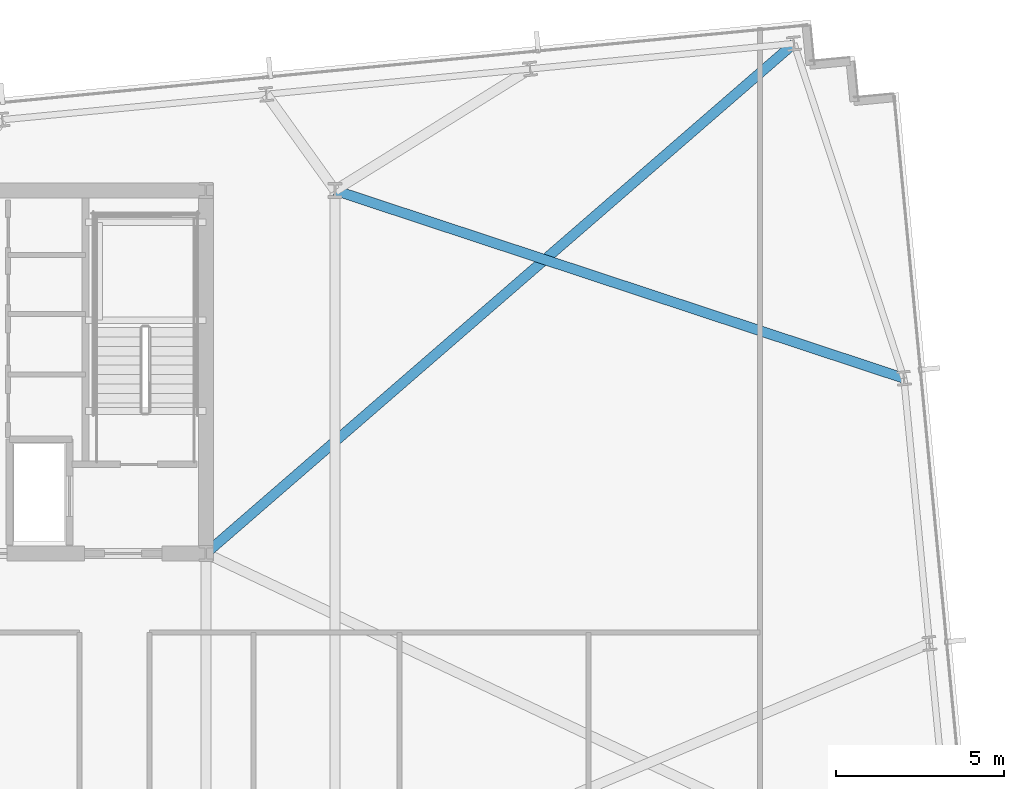
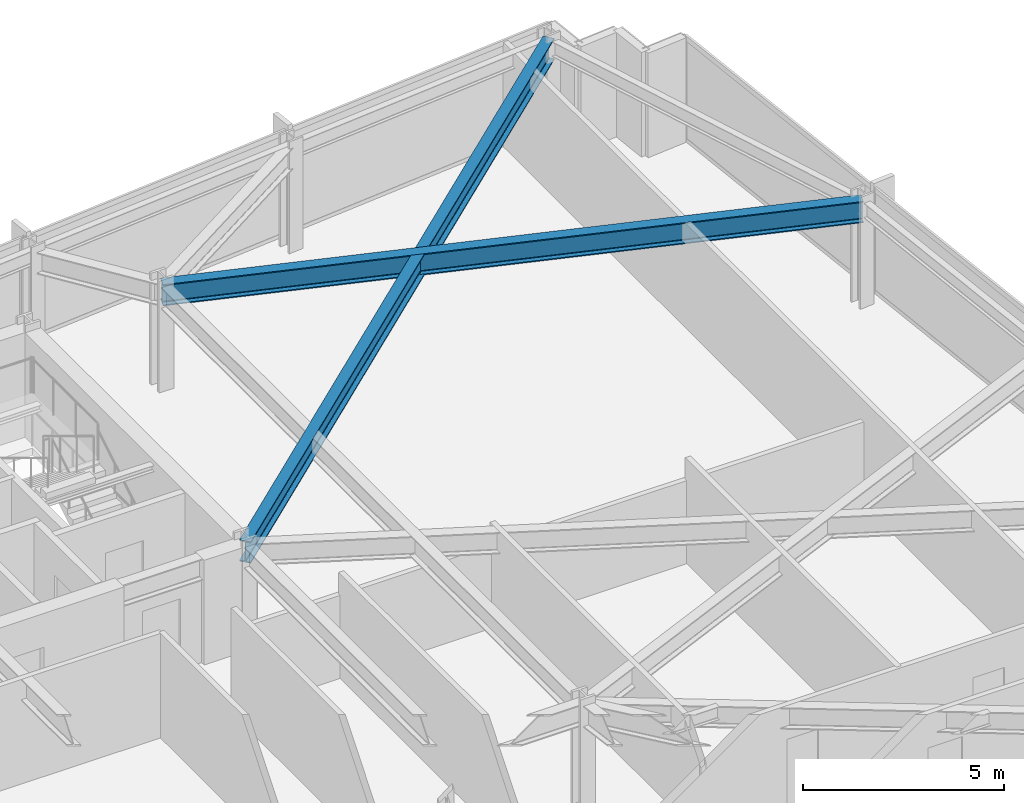
# One storey, part 22 of 33: 2 beams.
"""IFC4 building model written with IfcOpenShell, lengths in metres."""

from ifc_helpers import new_model, si_unit, direction, frame, origin, origin_2d, place, context, subcontext, project, spatial, i_section, extrude, material, material_profile, profile_set, type_object, element, save


model = new_model("IFC4")

# Units and contexts
model_context = context("Model", 3, precision=1e-05, world=origin(), true_north=direction((0.0, 1.0)))
body_context = subcontext(model_context, "Body", "Model", "MODEL_VIEW")
ifc_project = project(units=[si_unit("LENGTHUNIT", "METRE"), si_unit("AREAUNIT", "SQUARE_METRE"), si_unit("VOLUMEUNIT", "CUBIC_METRE"), si_unit("PLANEANGLEUNIT", "RADIAN"), si_unit("MASSUNIT", "GRAM", prefix="KILO")], contexts=[model_context])

# Site, building, storey
site_placement = place(None, origin())
site = spatial("IfcSite", under=ifc_project, at=site_placement, CompositionType="ELEMENT")
building_placement = place(site_placement, origin())
building = spatial("IfcBuilding", under=site, at=building_placement, Name="Yelkora Congress Tower", CompositionType="ELEMENT")
storey_placement = place(building_placement, frame((0.0, 0.0, 123.699951171875)))
storey = spatial("IfcBuildingStorey", under=building, at=storey_placement, Name="L33", CompositionType="ELEMENT", Elevation=123.699951171875)

# Beams
ifc_material = material(Name="Steel S355J2", Category="steel")
ifc_material_profile = material_profile(ifc_material, i_section(OverallWidth=0.300048828125, OverallDepth=0.64990234375, WebThickness=0.01611328125, FlangeThickness=0.031005859375, FilletRadius=0.027099609375, at=origin_2d()), Name="HEB 650")
ifc_profile_set = profile_set([ifc_material_profile], Name="Steel S355J2")
beam_type = type_object("IfcBeamType", Name="BM-GIRD-HEB650", PredefinedType="BEAM", material=ifc_profile_set)
beam_1_placement = place(storey_placement, frame((71.252685546875, 50.568115234375, 2.85498046875), z_axis=(-0.755520317406, -0.655125217029, 0.0), x_axis=(0.655125217029, -0.755520317406, 0.0)))
element("IfcBeam", 1, at=beam_1_placement, inside=storey, type_object=beam_type, Name="L33 Primary Frame Girder N08", PredefinedType="BEAM", context=body_context, shape_type="SweptSolid", body=[
    extrude(i_section(OverallWidth=0.300048828125, OverallDepth=0.64990234375, WebThickness=0.01611328125, FlangeThickness=0.031005859375, FilletRadius=0.027099609375, at=origin_2d()), origin(), (0.0, 0.0, 1.0), 23.153076171875),
])
beam_2_placement = place(storey_placement, frame((74.522216796875, 40.610595703125, 2.85498046875), z_axis=(-0.949544183597, 0.313633294465, 0.0), x_axis=(-0.313633294465, -0.949544183597, 0.0)))
element("IfcBeam", 2, at=beam_2_placement, inside=storey, type_object=beam_type, Name="L33 Primary Frame Girder E03", PredefinedType="BEAM", context=body_context, shape_type="SweptSolid", body=[
    extrude(i_section(OverallWidth=0.300048828125, OverallDepth=0.64990234375, WebThickness=0.01611328125, FlangeThickness=0.031005859375, FilletRadius=0.027099609375, at=origin_2d()), origin(), (0.0, 0.0, 1.0), 17.8212890625),
])

save(model, "model.ifc")
